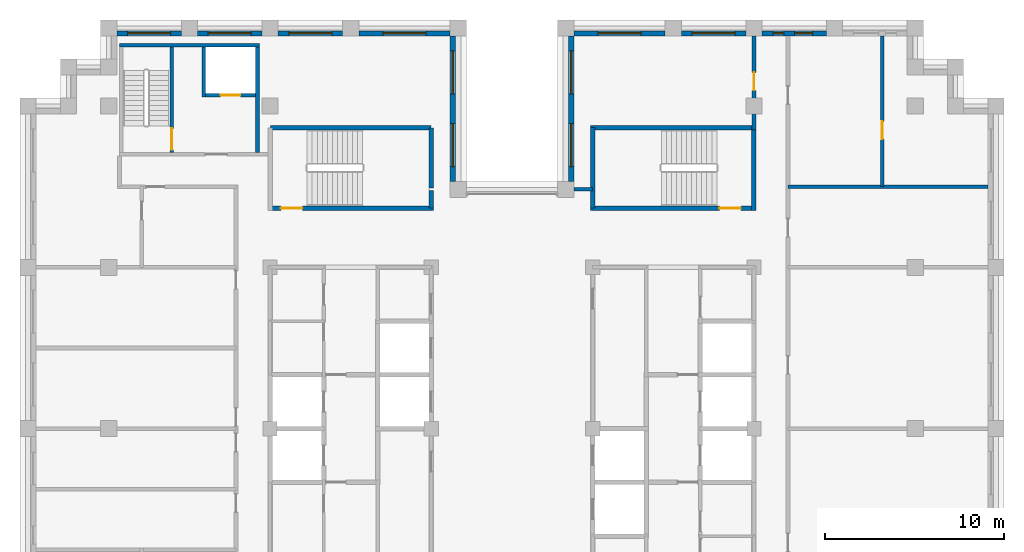
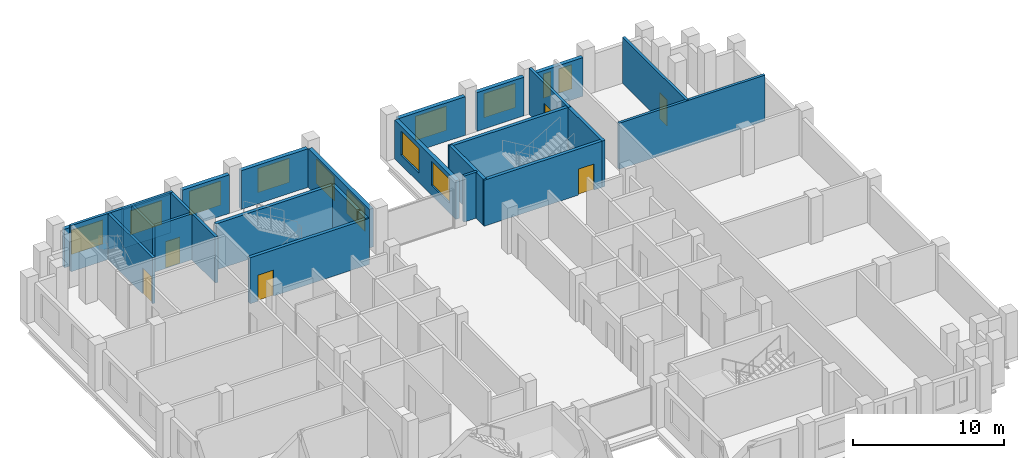
# One storey, part 10 of 13: 26 walls, 12 windows, 6 doors, 18 openings.
"""IFC4 building model written with IfcOpenShell, lengths in metres."""

from ifc_helpers import new_model, si_unit, direction, frame, frame_2d, origin, place, context, subcontext, project, spatial, rectangle, extrude, material, layer, layer_set, type_object, element, fill, save


model = new_model("IFC4")

# Units and contexts
model_context = context("Model", 3, precision=1e-05, world=origin(), true_north=direction((0.0, 1.0)))
body_context = subcontext(model_context, "Body", "Model", "MODEL_VIEW")
ifc_project = project(units=[si_unit("LENGTHUNIT", "METRE"), si_unit("AREAUNIT", "SQUARE_METRE"), si_unit("VOLUMEUNIT", "CUBIC_METRE"), si_unit("PLANEANGLEUNIT", "RADIAN"), si_unit("MASSUNIT", "GRAM", prefix="KILO")], contexts=[model_context])

# Site, building, storey
site_placement = place(None, origin())
site = spatial("IfcSite", under=ifc_project, at=site_placement, CompositionType="ELEMENT")
building_placement = place(site_placement, origin())
building = spatial("IfcBuilding", under=site, at=building_placement, Name="Corbelhall Arena Tower", CompositionType="ELEMENT")
storey_placement = place(building_placement, frame((0.0, 0.0, 278.0)))
storey = spatial("IfcBuildingStorey", under=building, at=storey_placement, Name="L60", CompositionType="ELEMENT", Elevation=278.0)

# Wall, openings, windows
ifc_material_1 = material(Name="Precast concrete C40/50 with granite facing", Category="masonry")
ifc_layer_1 = layer(ifc_material_1, 0.300048828125)
ifc_layer_set_1 = layer_set([ifc_layer_1], Name="EV-IW1 Infill panel 300")
wall_type_1 = type_object("IfcWallType", Name="EV-IW1 Infill panel 300", PredefinedType="SOLIDWALL", material=ifc_layer_set_1)
wall_1_placement = place(storey_placement, frame((17.550048828125, 22.050048828125, 0.0), z_axis=(0.0, 0.0, 1.0), x_axis=(-1.0, 0.0, 0.0)))
wall_1 = element("IfcWall", 1, at=wall_1_placement, inside=storey, type_object=wall_type_1, Name="Infill panel IW1", PredefinedType="SOLIDWALL", context=body_context, shape_type="SweptSolid", body=[
    extrude(rectangle(XDim=3.60009765625, YDim=0.300048828125, at=frame_2d((1.800048828125, 0.0))), origin(), (0.0, 0.0, 1.0), 3.1201171875),
])
opening_1_placement = place(wall_1_placement, frame((0.77490234375, 0.0, 0.800048828125)))
opening_1 = element("IfcOpeningElement", 2, at=opening_1_placement, cuts=wall_1, Name="Opening WN6", PredefinedType="OPENING", context=body_context, shape_type="SweptSolid", body=[
    extrude(rectangle(XDim=1.0, YDim=1.949951171875, at=frame_2d((0.5, 0.97509765625))), frame((0.0, 0.14990234375, 0.0), z_axis=(0.0, -1.0, 0.0), x_axis=(1.0, 0.0, 0.0)), (0.0, 0.0, 1.0), 0.300048828125),
])
opening_2_placement = place(wall_1_placement, frame((2.375, 0.0, 0.800048828125)))
opening_2 = element("IfcOpeningElement", 3, at=opening_2_placement, cuts=wall_1, Name="Opening WN5", PredefinedType="OPENING", context=body_context, shape_type="SweptSolid", body=[
    extrude(rectangle(XDim=0.60009765625, YDim=1.949951171875, at=frame_2d((0.300048828125, 0.97509765625))), frame((0.0, 0.14990234375, 0.0), z_axis=(0.0, -1.0, 0.0), x_axis=(1.0, 0.0, 0.0)), (0.0, 0.0, 1.0), 0.300048828125),
])
ifc_material_2 = material(Name="Aluminium black anodised", Category="aluminium")
window_type_1 = type_object("IfcWindowType", Name="EV-WN5 Office window 600", PartitioningType="SINGLE_PANEL", PredefinedType="WINDOW", material=ifc_material_2)
window_1_placement = place(opening_2_placement, origin())
window_1 = element("IfcWindow", 4, at=window_1_placement, inside=storey, type_object=window_type_1, Name="Window WN5", OverallHeight=1.949951171875, OverallWidth=0.60009765625, PartitioningType="SINGLE_PANEL", PredefinedType="WINDOW", context=body_context, shape_type="SweptSolid", body=[
    extrude(rectangle(XDim=0.60009765625, YDim=1.949951171875, at=frame_2d((0.300048828125, 0.97509765625))), frame((0.0, 0.030029296875, 0.0), z_axis=(0.0, -1.0, 0.0), x_axis=(1.0, 0.0, 0.0)), (0.0, 0.0, 1.0), 0.06005859375),
])
fill(opening_2, window_1)
window_type_2 = type_object("IfcWindowType", Name="EV-WN6 Office window 1000", PartitioningType="SINGLE_PANEL", PredefinedType="WINDOW", material=ifc_material_2)
window_2_placement = place(opening_1_placement, origin())
window_2 = element("IfcWindow", 5, at=window_2_placement, inside=storey, type_object=window_type_2, Name="Window WN6", OverallHeight=1.949951171875, OverallWidth=1.0, PartitioningType="SINGLE_PANEL", PredefinedType="WINDOW", context=body_context, shape_type="SweptSolid", body=[
    extrude(rectangle(XDim=1.0, YDim=1.949951171875, at=frame_2d((0.5, 0.97509765625))), frame((0.0, 0.030029296875, 0.0), z_axis=(0.0, -1.0, 0.0), x_axis=(1.0, 0.0, 0.0)), (0.0, 0.0, 1.0), 0.06005859375),
])
fill(opening_1, window_2)

# Wall, opening, window
wall_2_placement = place(storey_placement, frame((13.050048828125, 22.050048828125, 0.0), z_axis=(0.0, 0.0, 1.0), x_axis=(-1.0, 0.0, 0.0)))
wall_2 = element("IfcWall", 6, at=wall_2_placement, inside=storey, type_object=wall_type_1, Name="Infill panel IW1", PredefinedType="SOLIDWALL", context=body_context, shape_type="SweptSolid", body=[
    extrude(rectangle(XDim=3.60009765625, YDim=0.300048828125, at=frame_2d((1.800048828125, 0.0))), origin(), (0.0, 0.0, 1.0), 3.1201171875),
])
opening_3_placement = place(wall_2_placement, frame((0.60009765625, 0.0, 0.800048828125)))
opening_3 = element("IfcOpeningElement", 7, at=opening_3_placement, cuts=wall_2, Name="Opening WN1", PredefinedType="OPENING", context=body_context, shape_type="SweptSolid", body=[
    extrude(rectangle(XDim=2.39990234375, YDim=1.949951171875, at=frame_2d((1.199951171875, 0.97509765625))), frame((0.0, 0.14990234375, 0.0), z_axis=(0.0, -1.0, 0.0), x_axis=(1.0, 0.0, 0.0)), (0.0, 0.0, 1.0), 0.300048828125),
])
window_type_3 = type_object("IfcWindowType", Name="EV-WN1 Office window", PartitioningType="SINGLE_PANEL", PredefinedType="WINDOW", material=ifc_material_2)
window_3_placement = place(opening_3_placement, origin())
window_3 = element("IfcWindow", 8, at=window_3_placement, inside=storey, type_object=window_type_3, Name="Window WN1", OverallHeight=1.949951171875, OverallWidth=2.39990234375, PartitioningType="SINGLE_PANEL", PredefinedType="WINDOW", context=body_context, shape_type="SweptSolid", body=[
    extrude(rectangle(XDim=2.39990234375, YDim=1.949951171875, at=frame_2d((1.199951171875, 0.97509765625))), frame((0.0, 0.030029296875, 0.0), z_axis=(0.0, -1.0, 0.0), x_axis=(1.0, 0.0, 0.0)), (0.0, 0.0, 1.0), 0.06005859375),
])
fill(opening_3, window_3)

wall_3_placement = place(storey_placement, frame((8.550048828125, 22.050048828125, 0.0), z_axis=(0.0, 0.0, 1.0), x_axis=(-1.0, 0.0, 0.0)))
wall_3 = element("IfcWall", 9, at=wall_3_placement, inside=storey, type_object=wall_type_1, Name="Infill panel IW1", PredefinedType="SOLIDWALL", context=body_context, shape_type="SweptSolid", body=[
    extrude(rectangle(XDim=5.10009765625, YDim=0.300048828125, at=frame_2d((2.550048828125, 0.0))), origin(), (0.0, 0.0, 1.0), 3.1201171875),
])
opening_4_placement = place(wall_3_placement, frame((1.35009765625, 0.0, 0.800048828125)))
opening_4 = element("IfcOpeningElement", 10, at=opening_4_placement, cuts=wall_3, Name="Opening WN1", PredefinedType="OPENING", context=body_context, shape_type="SweptSolid", body=[
    extrude(rectangle(XDim=2.39990234375, YDim=1.949951171875, at=frame_2d((1.199951171875, 0.97509765625))), frame((0.0, 0.14990234375, 0.0), z_axis=(0.0, -1.0, 0.0), x_axis=(1.0, 0.0, 0.0)), (0.0, 0.0, 1.0), 0.300048828125),
])
window_4_placement = place(opening_4_placement, origin())
window_4 = element("IfcWindow", 11, at=window_4_placement, inside=storey, type_object=window_type_3, Name="Window WN1", OverallHeight=1.949951171875, OverallWidth=2.39990234375, PartitioningType="SINGLE_PANEL", PredefinedType="WINDOW", context=body_context, shape_type="SweptSolid", body=[
    extrude(rectangle(XDim=2.39990234375, YDim=1.949951171875, at=frame_2d((1.199951171875, 0.97509765625))), frame((0.0, 0.030029296875, 0.0), z_axis=(0.0, -1.0, 0.0), x_axis=(1.0, 0.0, 0.0)), (0.0, 0.0, 1.0), 0.06005859375),
])
fill(opening_4, window_4)

# Wall, openings, windows
wall_4_placement = place(storey_placement, frame((3.300048828125, 21.89990234375, 0.0), z_axis=(0.0, 0.0, 1.0), x_axis=(0.0, -1.0, 0.0)))
wall_4 = element("IfcWall", 12, at=wall_4_placement, inside=storey, type_object=wall_type_1, Name="Infill panel IW1", PredefinedType="SOLIDWALL", context=body_context, shape_type="SweptSolid", body=[
    extrude(rectangle(XDim=8.099853515625, YDim=0.300048828125, at=frame_2d((4.0498046875, 0.0))), origin(), (0.0, 0.0, 1.0), 3.1201171875),
])
opening_5_placement = place(wall_4_placement, frame((0.824951171875, 0.0, 0.800048828125)))
opening_5 = element("IfcOpeningElement", 13, at=opening_5_placement, cuts=wall_4, Name="Opening WN1", PredefinedType="OPENING", context=body_context, shape_type="SweptSolid", body=[
    extrude(rectangle(XDim=2.39990234375, YDim=1.949951171875, at=frame_2d((1.199951171875, 0.97509765625))), frame((0.0, 0.14990234375, 0.0), z_axis=(0.0, -1.0, 0.0), x_axis=(1.0, 0.0, 0.0)), (0.0, 0.0, 1.0), 0.300048828125),
])
opening_6_placement = place(wall_4_placement, frame((4.875, 0.0, 0.800048828125)))
opening_6 = element("IfcOpeningElement", 14, at=opening_6_placement, cuts=wall_4, Name="Opening WN1", PredefinedType="OPENING", context=body_context, shape_type="SweptSolid", body=[
    extrude(rectangle(XDim=2.39990234375, YDim=1.949951171875, at=frame_2d((1.199951171875, 0.97509765625))), frame((0.0, 0.14990234375, 0.0), z_axis=(0.0, -1.0, 0.0), x_axis=(1.0, 0.0, 0.0)), (0.0, 0.0, 1.0), 0.300048828125),
])
window_5_placement = place(opening_5_placement, origin())
window_5 = element("IfcWindow", 15, at=window_5_placement, inside=storey, type_object=window_type_3, Name="Window WN1", OverallHeight=1.949951171875, OverallWidth=2.39990234375, PartitioningType="SINGLE_PANEL", PredefinedType="WINDOW", context=body_context, shape_type="SweptSolid", body=[
    extrude(rectangle(XDim=2.39990234375, YDim=1.949951171875, at=frame_2d((1.199951171875, 0.97509765625))), frame((0.0, 0.030029296875, 0.0), z_axis=(0.0, -1.0, 0.0), x_axis=(1.0, 0.0, 0.0)), (0.0, 0.0, 1.0), 0.06005859375),
])
fill(opening_5, window_5)
window_6_placement = place(opening_6_placement, origin())
window_6 = element("IfcWindow", 16, at=window_6_placement, inside=storey, type_object=window_type_3, Name="Window WN1", OverallHeight=1.949951171875, OverallWidth=2.39990234375, PartitioningType="SINGLE_PANEL", PredefinedType="WINDOW", context=body_context, shape_type="SweptSolid", body=[
    extrude(rectangle(XDim=2.39990234375, YDim=1.949951171875, at=frame_2d((1.199951171875, 0.97509765625))), frame((0.0, 0.030029296875, 0.0), z_axis=(0.0, -1.0, 0.0), x_axis=(1.0, 0.0, 0.0)), (0.0, 0.0, 1.0), 0.06005859375),
])
fill(opening_6, window_6)

wall_5_placement = place(storey_placement, frame((-3.300048828125, 13.800048828125, 0.0), z_axis=(0.0, 0.0, 1.0), x_axis=(0.0, 1.0, 0.0)))
wall_5 = element("IfcWall", 17, at=wall_5_placement, inside=storey, type_object=wall_type_1, Name="Infill panel IW1", PredefinedType="SOLIDWALL", context=body_context, shape_type="SweptSolid", body=[
    extrude(rectangle(XDim=8.099853515625, YDim=0.300048828125, at=frame_2d((4.0498046875, 0.0))), origin(), (0.0, 0.0, 1.0), 3.1201171875),
])
opening_7_placement = place(wall_5_placement, frame((0.824951171875, 0.0, 0.800048828125)))
opening_7 = element("IfcOpeningElement", 18, at=opening_7_placement, cuts=wall_5, Name="Opening WN1", PredefinedType="OPENING", context=body_context, shape_type="SweptSolid", body=[
    extrude(rectangle(XDim=2.39990234375, YDim=1.949951171875, at=frame_2d((1.199951171875, 0.97509765625))), frame((0.0, 0.14990234375, 0.0), z_axis=(0.0, -1.0, 0.0), x_axis=(1.0, 0.0, 0.0)), (0.0, 0.0, 1.0), 0.300048828125),
])
opening_8_placement = place(wall_5_placement, frame((4.875, 0.0, 0.800048828125)))
opening_8 = element("IfcOpeningElement", 19, at=opening_8_placement, cuts=wall_5, Name="Opening WN1", PredefinedType="OPENING", context=body_context, shape_type="SweptSolid", body=[
    extrude(rectangle(XDim=2.39990234375, YDim=1.949951171875, at=frame_2d((1.199951171875, 0.97509765625))), frame((0.0, 0.14990234375, 0.0), z_axis=(0.0, -1.0, 0.0), x_axis=(1.0, 0.0, 0.0)), (0.0, 0.0, 1.0), 0.300048828125),
])
window_7_placement = place(opening_7_placement, origin())
window_7 = element("IfcWindow", 20, at=window_7_placement, inside=storey, type_object=window_type_3, Name="Window WN1", OverallHeight=1.949951171875, OverallWidth=2.39990234375, PartitioningType="SINGLE_PANEL", PredefinedType="WINDOW", context=body_context, shape_type="SweptSolid", body=[
    extrude(rectangle(XDim=2.39990234375, YDim=1.949951171875, at=frame_2d((1.199951171875, 0.97509765625))), frame((0.0, 0.030029296875, 0.0), z_axis=(0.0, -1.0, 0.0), x_axis=(1.0, 0.0, 0.0)), (0.0, 0.0, 1.0), 0.06005859375),
])
fill(opening_7, window_7)
window_8_placement = place(opening_8_placement, origin())
window_8 = element("IfcWindow", 21, at=window_8_placement, inside=storey, type_object=window_type_3, Name="Window WN1", OverallHeight=1.949951171875, OverallWidth=2.39990234375, PartitioningType="SINGLE_PANEL", PredefinedType="WINDOW", context=body_context, shape_type="SweptSolid", body=[
    extrude(rectangle(XDim=2.39990234375, YDim=1.949951171875, at=frame_2d((1.199951171875, 0.97509765625))), frame((0.0, 0.030029296875, 0.0), z_axis=(0.0, -1.0, 0.0), x_axis=(1.0, 0.0, 0.0)), (0.0, 0.0, 1.0), 0.06005859375),
])
fill(opening_8, window_8)

# Wall, opening, window
wall_6_placement = place(storey_placement, frame((-3.449951171875, 22.050048828125, 0.0), z_axis=(0.0, 0.0, 1.0), x_axis=(-1.0, 0.0, 0.0)))
wall_6 = element("IfcWall", 22, at=wall_6_placement, inside=storey, type_object=wall_type_1, Name="Infill panel IW1", PredefinedType="SOLIDWALL", context=body_context, shape_type="SweptSolid", body=[
    extrude(rectangle(XDim=5.10009765625, YDim=0.300048828125, at=frame_2d((2.550048828125, 0.0))), origin(), (0.0, 0.0, 1.0), 3.1201171875),
])
opening_9_placement = place(wall_6_placement, frame((1.35009765625, 0.0, 0.800048828125)))
opening_9 = element("IfcOpeningElement", 23, at=opening_9_placement, cuts=wall_6, Name="Opening WN1", PredefinedType="OPENING", context=body_context, shape_type="SweptSolid", body=[
    extrude(rectangle(XDim=2.39990234375, YDim=1.949951171875, at=frame_2d((1.199951171875, 0.97509765625))), frame((0.0, 0.14990234375, 0.0), z_axis=(0.0, -1.0, 0.0), x_axis=(1.0, 0.0, 0.0)), (0.0, 0.0, 1.0), 0.300048828125),
])
window_9_placement = place(opening_9_placement, origin())
window_9 = element("IfcWindow", 24, at=window_9_placement, inside=storey, type_object=window_type_3, Name="Window WN1", OverallHeight=1.949951171875, OverallWidth=2.39990234375, PartitioningType="SINGLE_PANEL", PredefinedType="WINDOW", context=body_context, shape_type="SweptSolid", body=[
    extrude(rectangle(XDim=2.39990234375, YDim=1.949951171875, at=frame_2d((1.199951171875, 0.97509765625))), frame((0.0, 0.030029296875, 0.0), z_axis=(0.0, -1.0, 0.0), x_axis=(1.0, 0.0, 0.0)), (0.0, 0.0, 1.0), 0.06005859375),
])
fill(opening_9, window_9)

wall_7_placement = place(storey_placement, frame((-9.449951171875, 22.050048828125, 0.0), z_axis=(0.0, 0.0, 1.0), x_axis=(-1.0, 0.0, 0.0)))
wall_7 = element("IfcWall", 25, at=wall_7_placement, inside=storey, type_object=wall_type_1, Name="Infill panel IW1", PredefinedType="SOLIDWALL", context=body_context, shape_type="SweptSolid", body=[
    extrude(rectangle(XDim=3.60009765625, YDim=0.300048828125, at=frame_2d((1.800048828125, 0.0))), origin(), (0.0, 0.0, 1.0), 3.1201171875),
])
opening_10_placement = place(wall_7_placement, frame((0.60009765625, 0.0, 0.800048828125)))
opening_10 = element("IfcOpeningElement", 26, at=opening_10_placement, cuts=wall_7, Name="Opening WN1", PredefinedType="OPENING", context=body_context, shape_type="SweptSolid", body=[
    extrude(rectangle(XDim=2.39990234375, YDim=1.949951171875, at=frame_2d((1.199951171875, 0.97509765625))), frame((0.0, 0.14990234375, 0.0), z_axis=(0.0, -1.0, 0.0), x_axis=(1.0, 0.0, 0.0)), (0.0, 0.0, 1.0), 0.300048828125),
])
window_10_placement = place(opening_10_placement, origin())
window_10 = element("IfcWindow", 27, at=window_10_placement, inside=storey, type_object=window_type_3, Name="Window WN1", OverallHeight=1.949951171875, OverallWidth=2.39990234375, PartitioningType="SINGLE_PANEL", PredefinedType="WINDOW", context=body_context, shape_type="SweptSolid", body=[
    extrude(rectangle(XDim=2.39990234375, YDim=1.949951171875, at=frame_2d((1.199951171875, 0.97509765625))), frame((0.0, 0.030029296875, 0.0), z_axis=(0.0, -1.0, 0.0), x_axis=(1.0, 0.0, 0.0)), (0.0, 0.0, 1.0), 0.06005859375),
])
fill(opening_10, window_10)

wall_8_placement = place(storey_placement, frame((-13.949951171875, 22.050048828125, 0.0), z_axis=(0.0, 0.0, 1.0), x_axis=(-1.0, 0.0, 0.0)))
wall_8 = element("IfcWall", 28, at=wall_8_placement, inside=storey, type_object=wall_type_1, Name="Infill panel IW1", PredefinedType="SOLIDWALL", context=body_context, shape_type="SweptSolid", body=[
    extrude(rectangle(XDim=3.60009765625, YDim=0.300048828125, at=frame_2d((1.800048828125, 0.0))), origin(), (0.0, 0.0, 1.0), 3.1201171875),
])
opening_11_placement = place(wall_8_placement, frame((0.60009765625, 0.0, 0.800048828125)))
opening_11 = element("IfcOpeningElement", 29, at=opening_11_placement, cuts=wall_8, Name="Opening WN1", PredefinedType="OPENING", context=body_context, shape_type="SweptSolid", body=[
    extrude(rectangle(XDim=2.39990234375, YDim=1.949951171875, at=frame_2d((1.199951171875, 0.97509765625))), frame((0.0, 0.14990234375, 0.0), z_axis=(0.0, -1.0, 0.0), x_axis=(1.0, 0.0, 0.0)), (0.0, 0.0, 1.0), 0.300048828125),
])
window_11_placement = place(opening_11_placement, origin())
window_11 = element("IfcWindow", 30, at=window_11_placement, inside=storey, type_object=window_type_3, Name="Window WN1", OverallHeight=1.949951171875, OverallWidth=2.39990234375, PartitioningType="SINGLE_PANEL", PredefinedType="WINDOW", context=body_context, shape_type="SweptSolid", body=[
    extrude(rectangle(XDim=2.39990234375, YDim=1.949951171875, at=frame_2d((1.199951171875, 0.97509765625))), frame((0.0, 0.030029296875, 0.0), z_axis=(0.0, -1.0, 0.0), x_axis=(1.0, 0.0, 0.0)), (0.0, 0.0, 1.0), 0.06005859375),
])
fill(opening_11, window_11)

wall_9_placement = place(storey_placement, frame((-18.449951171875, 22.050048828125, 0.0), z_axis=(0.0, 0.0, 1.0), x_axis=(-1.0, 0.0, 0.0)))
wall_9 = element("IfcWall", 31, at=wall_9_placement, inside=storey, type_object=wall_type_1, Name="Infill panel IW1", PredefinedType="SOLIDWALL", context=body_context, shape_type="SweptSolid", body=[
    extrude(rectangle(XDim=3.60009765625, YDim=0.300048828125, at=frame_2d((1.800048828125, 0.0))), origin(), (0.0, 0.0, 1.0), 3.1201171875),
])
opening_12_placement = place(wall_9_placement, frame((0.60009765625, 0.0, 0.800048828125)))
opening_12 = element("IfcOpeningElement", 32, at=opening_12_placement, cuts=wall_9, Name="Opening WN1", PredefinedType="OPENING", context=body_context, shape_type="SweptSolid", body=[
    extrude(rectangle(XDim=2.39990234375, YDim=1.949951171875, at=frame_2d((1.199951171875, 0.97509765625))), frame((0.0, 0.14990234375, 0.0), z_axis=(0.0, -1.0, 0.0), x_axis=(1.0, 0.0, 0.0)), (0.0, 0.0, 1.0), 0.300048828125),
])
window_12_placement = place(opening_12_placement, origin())
window_12 = element("IfcWindow", 33, at=window_12_placement, inside=storey, type_object=window_type_3, Name="Window WN1", OverallHeight=1.949951171875, OverallWidth=2.39990234375, PartitioningType="SINGLE_PANEL", PredefinedType="WINDOW", context=body_context, shape_type="SweptSolid", body=[
    extrude(rectangle(XDim=2.39990234375, YDim=1.949951171875, at=frame_2d((1.199951171875, 0.97509765625))), frame((0.0, 0.030029296875, 0.0), z_axis=(0.0, -1.0, 0.0), x_axis=(1.0, 0.0, 0.0)), (0.0, 0.0, 1.0), 0.06005859375),
])
fill(opening_12, window_12)

# Wall
ifc_material_3 = material(Name="Gypsum board on steel stud, acoustic", Category="steel")
ifc_layer_2 = layer(ifc_material_3, 0.199951171875)
ifc_layer_set_2 = layer_set([ifc_layer_2], Name="IN-W-DM200")
wall_type_2 = type_object("IfcWallType", Name="IN-W-DM200", PredefinedType="PARTITIONING", material=ifc_layer_set_2)
wall_10_placement = place(storey_placement, frame((3.450439453125, 13.35009765625, 0.0), z_axis=(0.0, 0.0, 1.0), x_axis=(1.0, 0.0, 0.0)))
element("IfcWall", 34, at=wall_10_placement, inside=storey, type_object=wall_type_2, Name="Partition 015", PredefinedType="PARTITIONING", context=body_context, shape_type="SweptSolid", body=[
    extrude(rectangle(XDim=1.049072265625, YDim=0.199951171875, at=frame_2d((0.5244140625, 0.0))), origin(), (0.0, 0.0, 1.0), 3.719970703125),
])

# Wall, opening, door
wall_11_placement = place(storey_placement, frame((13.5, 16.675048828125, 0.0), z_axis=(0.0, 0.0, 1.0), x_axis=(0.0, 1.0, 0.0)))
wall_11 = element("IfcWall", 35, at=wall_11_placement, inside=storey, type_object=wall_type_2, Name="Partition 018", PredefinedType="PARTITIONING", context=body_context, shape_type="SweptSolid", body=[
    extrude(rectangle(XDim=5.224853515625, YDim=0.199951171875, at=frame_2d((2.6123046875, 0.0))), origin(), (0.0, 0.0, 1.0), 3.719970703125),
])
opening_13_placement = place(wall_11_placement, frame((2.199951171875, 0.0, 0.0)))
opening_13 = element("IfcOpeningElement", 36, at=opening_13_placement, cuts=wall_11, Name="Opening 19019", PredefinedType="OPENING", context=body_context, shape_type="SweptSolid", body=[
    extrude(rectangle(XDim=1.0, YDim=2.10009765625, at=frame_2d((0.5, 1.050048828125))), frame((0.0, 0.10009765625, 0.0), z_axis=(0.0, -1.0, 0.0), x_axis=(1.0, 0.0, 0.0)), (0.0, 0.0, 1.0), 0.199951171875),
])
ifc_material_4 = material(Name="Steel door set", Category="steel")
door_type_1 = type_object("IfcDoorType", Name="IN-D-SW100", OperationType="NOTDEFINED", PredefinedType="DOOR", material=ifc_material_4)
door_1_placement = place(opening_13_placement, origin())
door_1 = element("IfcDoor", 37, at=door_1_placement, inside=storey, type_object=door_type_1, Name="Door 019", OperationType="SINGLE_SWING_RIGHT", OverallHeight=2.10009765625, OverallWidth=1.0, PredefinedType="DOOR", context=body_context, shape_type="SweptSolid", body=[
    extrude(rectangle(XDim=1.0, YDim=2.10009765625, at=frame_2d((0.5, 1.050048828125))), frame((0.0, 0.02490234375, 0.0), z_axis=(0.0, -1.0, 0.0), x_axis=(1.0, 0.0, 0.0)), (0.0, 0.0, 1.0), 0.050048828125),
])
fill(opening_13, door_1)

# Wall
wall_12_placement = place(storey_placement, frame((15.39990234375, 13.5, 0.0), z_axis=(0.0, 0.0, 1.0), x_axis=(1.0, 0.0, 0.0)))
element("IfcWall", 38, at=wall_12_placement, inside=storey, type_object=wall_type_2, Name="Partition 022", PredefinedType="PARTITIONING", context=body_context, shape_type="SweptSolid", body=[
    extrude(rectangle(XDim=11.150146484375, YDim=0.199951171875, at=frame_2d((5.5751953125, 0.0))), origin(), (0.0, 0.0, 1.0), 3.719970703125),
])

# Wall, opening, door
wall_13_placement = place(storey_placement, frame((20.64990234375, 21.89990234375, 0.0), z_axis=(0.0, 0.0, 1.0), x_axis=(0.0, -1.0, 0.0)))
wall_13 = element("IfcWall", 39, at=wall_13_placement, inside=storey, type_object=wall_type_2, Name="Partition 024", PredefinedType="PARTITIONING", context=body_context, shape_type="SweptSolid", body=[
    extrude(rectangle(XDim=8.39990234375, YDim=0.199951171875, at=frame_2d((4.199951171875, 0.0))), origin(), (0.0, 0.0, 1.0), 3.719970703125),
])
opening_14_placement = place(wall_13_placement, frame((4.75, 0.0, 0.0)))
opening_14 = element("IfcOpeningElement", 40, at=opening_14_placement, cuts=wall_13, Name="Opening 19035", PredefinedType="OPENING", context=body_context, shape_type="SweptSolid", body=[
    extrude(rectangle(XDim=1.0, YDim=2.10009765625, at=frame_2d((0.5, 1.050048828125))), frame((0.0, 0.10009765625, 0.0), z_axis=(0.0, -1.0, 0.0), x_axis=(1.0, 0.0, 0.0)), (0.0, 0.0, 1.0), 0.199951171875),
])
door_2_placement = place(opening_14_placement, origin())
door_2 = element("IfcDoor", 41, at=door_2_placement, inside=storey, type_object=door_type_1, Name="Door 035", OperationType="SINGLE_SWING_RIGHT", OverallHeight=2.10009765625, OverallWidth=1.0, PredefinedType="DOOR", context=body_context, shape_type="SweptSolid", body=[
    extrude(rectangle(XDim=1.0, YDim=2.10009765625, at=frame_2d((0.5, 1.050048828125))), frame((0.0, 0.02490234375, 0.0), z_axis=(0.0, -1.0, 0.0), x_axis=(1.0, 0.0, 0.0)), (0.0, 0.0, 1.0), 0.050048828125),
])
fill(opening_14, door_2)

# Walls
ifc_material_5 = material(Name="Concrete C40/50", Category="concrete")
ifc_layer_3 = layer(ifc_material_5, 0.199951171875)
ifc_layer_set_3 = layer_set([ifc_layer_3], Name="IN-W-EAR200")
wall_type_3 = type_object("IfcWallType", Name="IN-W-EAR200", PredefinedType="SOLIDWALL", material=ifc_layer_set_3)
wall_14_placement = place(storey_placement, frame((-21.89990234375, 21.39990234375, 0.0), z_axis=(0.0, 0.0, 1.0), x_axis=(1.0, 0.0, 0.0)))
element("IfcWall", 42, at=wall_14_placement, inside=storey, type_object=wall_type_3, Name="Fire service turret wall north", PredefinedType="SOLIDWALL", context=body_context, shape_type="SweptSolid", body=[
    extrude(rectangle(XDim=7.7998046875, YDim=0.199951171875, at=frame_2d((3.89990234375, 0.0))), origin(), (0.0, 0.0, 1.0), 3.719970703125),
])
wall_15_placement = place(storey_placement, frame((-14.199951171875, 15.39990234375, 0.0), z_axis=(0.0, 0.0, 1.0), x_axis=(0.0, 1.0, 0.0)))
element("IfcWall", 43, at=wall_15_placement, inside=storey, type_object=wall_type_3, Name="Fire service turret wall east", PredefinedType="SOLIDWALL", context=body_context, shape_type="SweptSolid", body=[
    extrude(rectangle(XDim=5.900146484375, YDim=0.199951171875, at=frame_2d((2.9501953125, 0.0))), origin(), (0.0, 0.0, 1.0), 3.719970703125),
])

# Wall, opening, door
wall_16_placement = place(storey_placement, frame((-18.989990234375, 15.39990234375, 0.0), z_axis=(0.0, 0.0, 1.0), x_axis=(0.0, 1.0, 0.0)))
wall_16 = element("IfcWall", 44, at=wall_16_placement, inside=storey, type_object=wall_type_3, Name="Fire service turret wall stair", PredefinedType="SOLIDWALL", context=body_context, shape_type="SweptSolid", body=[
    extrude(rectangle(XDim=5.900146484375, YDim=0.199951171875, at=frame_2d((2.9501953125, 0.0))), origin(), (0.0, 0.0, 1.0), 3.719970703125),
])
opening_15_placement = place(wall_16_placement, frame((0.14990234375, 0.0, 0.0)))
opening_15 = element("IfcOpeningElement", 45, at=opening_15_placement, cuts=wall_16, Name="Opening E191", PredefinedType="OPENING", context=body_context, shape_type="SweptSolid", body=[
    extrude(rectangle(XDim=1.199951171875, YDim=2.10009765625, at=frame_2d((0.60009765625, 1.050048828125))), frame((0.0, 0.10009765625, 0.0), z_axis=(0.0, -1.0, 0.0), x_axis=(1.0, 0.0, 0.0)), (0.0, 0.0, 1.0), 0.199951171875),
])
door_type_2 = type_object("IfcDoorType", Name="IN-D-ST120", OperationType="NOTDEFINED", PredefinedType="DOOR", material=ifc_material_4)
door_3_placement = place(opening_15_placement, origin())
door_3 = element("IfcDoor", 46, at=door_3_placement, inside=storey, type_object=door_type_2, Name="Stair door to fire service lobby", OperationType="SINGLE_SWING_LEFT", OverallHeight=2.10009765625, OverallWidth=1.199951171875, PredefinedType="DOOR", context=body_context, shape_type="SweptSolid", body=[
    extrude(rectangle(XDim=1.199951171875, YDim=2.10009765625, at=frame_2d((0.60009765625, 1.050048828125))), frame((0.0, 0.02490234375, 0.0), z_axis=(0.0, -1.0, 0.0), x_axis=(1.0, 0.0, 0.0)), (0.0, 0.0, 1.0), 0.050048828125),
])
fill(opening_15, door_3)

# Wall
wall_17_placement = place(storey_placement, frame((-17.199951171875, 18.5, 0.0), z_axis=(0.0, 0.0, 1.0), x_axis=(0.0, 1.0, 0.0)))
element("IfcWall", 47, at=wall_17_placement, inside=storey, type_object=wall_type_3, Name="Fire service turret wall hoistway west", PredefinedType="SOLIDWALL", context=body_context, shape_type="SweptSolid", body=[
    extrude(rectangle(XDim=2.800048828125, YDim=0.199951171875, at=frame_2d((1.39990234375, 0.0))), origin(), (0.0, 0.0, 1.0), 3.719970703125),
])

# Wall, opening, door
wall_18_placement = place(storey_placement, frame((-17.10009765625, 18.60009765625, 0.0), z_axis=(0.0, 0.0, 1.0), x_axis=(1.0, 0.0, 0.0)))
wall_18 = element("IfcWall", 48, at=wall_18_placement, inside=storey, type_object=wall_type_3, Name="Fire service turret wall hoistway south", PredefinedType="SOLIDWALL", context=body_context, shape_type="SweptSolid", body=[
    extrude(rectangle(XDim=2.800048828125, YDim=0.199951171875, at=frame_2d((1.39990234375, 0.0))), origin(), (0.0, 0.0, 1.0), 3.719970703125),
])
opening_16_placement = place(wall_18_placement, frame((0.85009765625, 0.0, 0.0)))
opening_16 = element("IfcOpeningElement", 49, at=opening_16_placement, cuts=wall_18, Name="Opening LD", PredefinedType="OPENING", context=body_context, shape_type="SweptSolid", body=[
    extrude(rectangle(XDim=1.10009765625, YDim=2.10009765625, at=frame_2d((0.550048828125, 1.050048828125))), frame((0.0, 0.10009765625, 0.0), z_axis=(0.0, -1.0, 0.0), x_axis=(1.0, 0.0, 0.0)), (0.0, 0.0, 1.0), 0.199951171875),
])
door_type_3 = type_object("IfcDoorType", Name="IN-D-LD110", OperationType="NOTDEFINED", PredefinedType="DOOR", material=ifc_material_4)
door_4_placement = place(opening_16_placement, origin())
door_4 = element("IfcDoor", 50, at=door_4_placement, inside=storey, type_object=door_type_3, Name="Landing door FS1", OperationType="SLIDING_TO_LEFT", OverallHeight=2.10009765625, OverallWidth=1.10009765625, PredefinedType="DOOR", context=body_context, shape_type="SweptSolid", body=[
    extrude(rectangle(XDim=1.10009765625, YDim=2.10009765625, at=frame_2d((0.550048828125, 1.050048828125))), frame((0.0, 0.02490234375, 0.0), z_axis=(0.0, -1.0, 0.0), x_axis=(1.0, 0.0, 0.0)), (0.0, 0.0, 1.0), 0.050048828125),
])
fill(opening_16, door_4)

ifc_layer_4 = layer(ifc_material_5, 0.25)
ifc_layer_set_4 = layer_set([ifc_layer_4], Name="IN-W-ST250")
wall_type_4 = type_object("IfcWallType", Name="IN-W-ST250", PredefinedType="SOLIDWALL", material=ifc_layer_set_4)
wall_19_placement = place(storey_placement, frame((-13.5, 12.300048828125, 0.0), z_axis=(0.0, 0.0, 1.0), x_axis=(1.0, 0.0, 0.0)))
wall_19 = element("IfcWall", 51, at=wall_19_placement, inside=storey, type_object=wall_type_4, Name="Shaft wall 066", PredefinedType="SOLIDWALL", context=body_context, shape_type="SweptSolid", body=[
    extrude(rectangle(XDim=9.125, YDim=0.25, at=frame_2d((4.5625, 0.0))), origin(), (0.0, 0.0, 1.0), 3.719970703125),
])
opening_17_placement = place(wall_19_placement, frame((0.60009765625, 0.0, 0.0)))
opening_17 = element("IfcOpeningElement", 52, at=opening_17_placement, cuts=wall_19, Name="Opening 19015", PredefinedType="OPENING", context=body_context, shape_type="SweptSolid", body=[
    extrude(rectangle(XDim=1.199951171875, YDim=2.10009765625, at=frame_2d((0.60009765625, 1.050048828125))), frame((0.0, 0.125, 0.0), z_axis=(0.0, -1.0, 0.0), x_axis=(1.0, 0.0, 0.0)), (0.0, 0.0, 1.0), 0.25),
])
door_5_placement = place(opening_17_placement, origin())
door_5 = element("IfcDoor", 53, at=door_5_placement, inside=storey, type_object=door_type_2, Name="Door 015", OperationType="SINGLE_SWING_RIGHT", OverallHeight=2.10009765625, OverallWidth=1.199951171875, PredefinedType="DOOR", context=body_context, shape_type="SweptSolid", body=[
    extrude(rectangle(XDim=1.199951171875, YDim=2.10009765625, at=frame_2d((0.60009765625, 1.050048828125))), frame((0.0, 0.02490234375, 0.0), z_axis=(0.0, -1.0, 0.0), x_axis=(1.0, 0.0, 0.0)), (0.0, 0.0, 1.0), 0.050048828125),
])
fill(opening_17, door_5)

# Walls
wall_20_placement = place(storey_placement, frame((-13.47998046875, 16.800048828125, 0.0), z_axis=(0.0, 0.0, 1.0), x_axis=(1.0, 0.0, 0.0)))
element("IfcWall", 54, at=wall_20_placement, inside=storey, type_object=wall_type_4, Name="Shaft wall 068", PredefinedType="SOLIDWALL", context=body_context, shape_type="SweptSolid", body=[
    extrude(rectangle(XDim=8.9599609375, YDim=0.25, at=frame_2d((4.47998046875, 0.0))), origin(), (0.0, 0.0, 1.0), 3.719970703125),
])
wall_21_placement = place(storey_placement, frame((-4.5, 13.282958984375, 0.0), z_axis=(0.0, 0.0, 1.0), x_axis=(0.0, -1.0, 0.0)))
element("IfcWall", 55, at=wall_21_placement, inside=storey, type_object=wall_type_4, Name="Shaft wall 071", PredefinedType="SOLIDWALL", context=body_context, shape_type="SweptSolid", body=[
    extrude(rectangle(XDim=0.98291015625, YDim=0.25, at=frame_2d((0.491455078125, 0.0))), origin(), (0.0, 0.0, 1.0), 3.719970703125),
])
wall_22_placement = place(storey_placement, frame((-4.5, 16.780029296875, 0.0), z_axis=(0.0, 0.0, 1.0), x_axis=(0.0, -1.0, 0.0)))
element("IfcWall", 56, at=wall_22_placement, inside=storey, type_object=wall_type_4, Name="Shaft wall 072", PredefinedType="SOLIDWALL", context=body_context, shape_type="SweptSolid", body=[
    extrude(rectangle(XDim=3.363037109375, YDim=0.25, at=frame_2d((1.681640625, 0.0))), origin(), (0.0, 0.0, 1.0), 3.719970703125),
])

# Wall, opening, door
wall_23_placement = place(storey_placement, frame((4.375, 12.300048828125, 0.0), z_axis=(0.0, 0.0, 1.0), x_axis=(1.0, 0.0, 0.0)))
wall_23 = element("IfcWall", 57, at=wall_23_placement, inside=storey, type_object=wall_type_4, Name="Shaft wall 074", PredefinedType="SOLIDWALL", context=body_context, shape_type="SweptSolid", body=[
    extrude(rectangle(XDim=9.125, YDim=0.25, at=frame_2d((4.5625, 0.0))), origin(), (0.0, 0.0, 1.0), 3.719970703125),
])
opening_18_placement = place(wall_23_placement, frame((7.199951171875, 0.0, 0.0)))
opening_18 = element("IfcOpeningElement", 58, at=opening_18_placement, cuts=wall_23, Name="Opening 19017", PredefinedType="OPENING", context=body_context, shape_type="SweptSolid", body=[
    extrude(rectangle(XDim=1.199951171875, YDim=2.10009765625, at=frame_2d((0.60009765625, 1.050048828125))), frame((0.0, 0.125, 0.0), z_axis=(0.0, -1.0, 0.0), x_axis=(1.0, 0.0, 0.0)), (0.0, 0.0, 1.0), 0.25),
])
door_6_placement = place(opening_18_placement, origin())
door_6 = element("IfcDoor", 59, at=door_6_placement, inside=storey, type_object=door_type_2, Name="Door 017", OperationType="SINGLE_SWING_RIGHT", OverallHeight=2.10009765625, OverallWidth=1.199951171875, PredefinedType="DOOR", context=body_context, shape_type="SweptSolid", body=[
    extrude(rectangle(XDim=1.199951171875, YDim=2.10009765625, at=frame_2d((0.60009765625, 1.050048828125))), frame((0.0, 0.02490234375, 0.0), z_axis=(0.0, -1.0, 0.0), x_axis=(1.0, 0.0, 0.0)), (0.0, 0.0, 1.0), 0.050048828125),
])
fill(opening_18, door_6)

# Walls
wall_24_placement = place(storey_placement, frame((4.375, 16.800048828125, 0.0), z_axis=(0.0, 0.0, 1.0), x_axis=(1.0, 0.0, 0.0)))
element("IfcWall", 60, at=wall_24_placement, inside=storey, type_object=wall_type_4, Name="Shaft wall 075", PredefinedType="SOLIDWALL", context=body_context, shape_type="SweptSolid", body=[
    extrude(rectangle(XDim=9.125, YDim=0.25, at=frame_2d((4.5625, 0.0))), origin(), (0.0, 0.0, 1.0), 3.719970703125),
])
wall_25_placement = place(storey_placement, frame((4.5, 12.300048828125, 0.0), z_axis=(0.0, 0.0, 1.0), x_axis=(0.0, 1.0, 0.0)))
element("IfcWall", 61, at=wall_25_placement, inside=storey, type_object=wall_type_4, Name="Shaft wall 077", PredefinedType="SOLIDWALL", context=body_context, shape_type="SweptSolid", body=[
    extrude(rectangle(XDim=4.5, YDim=0.25, at=frame_2d((2.25, 0.0))), origin(), (0.0, 0.0, 1.0), 3.719970703125),
])
wall_26_placement = place(storey_placement, frame((13.5, 12.175048828125, 0.0), z_axis=(0.0, 0.0, 1.0), x_axis=(0.0, 1.0, 0.0)))
element("IfcWall", 62, at=wall_26_placement, inside=storey, type_object=wall_type_4, Name="Shaft wall 081", PredefinedType="SOLIDWALL", context=body_context, shape_type="SweptSolid", body=[
    extrude(rectangle(XDim=4.75, YDim=0.25, at=frame_2d((2.375, 0.0))), origin(), (0.0, 0.0, 1.0), 3.719970703125),
])

save(model, "model.ifc")
